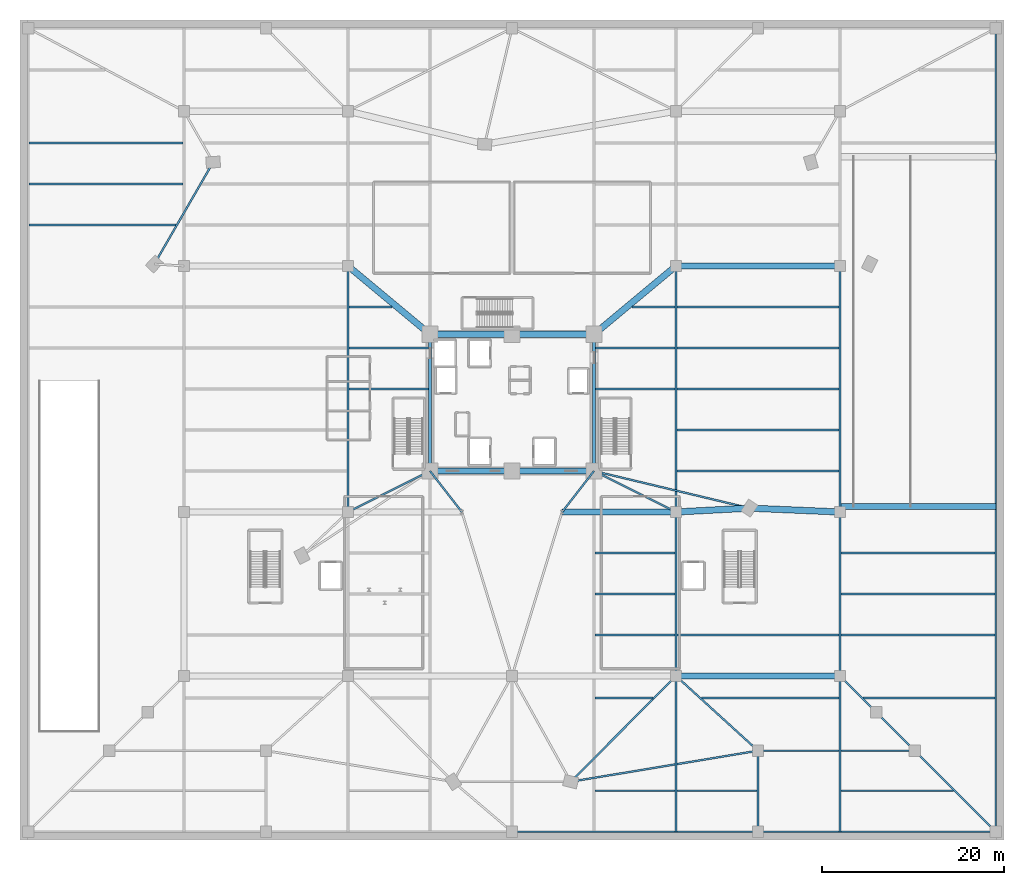
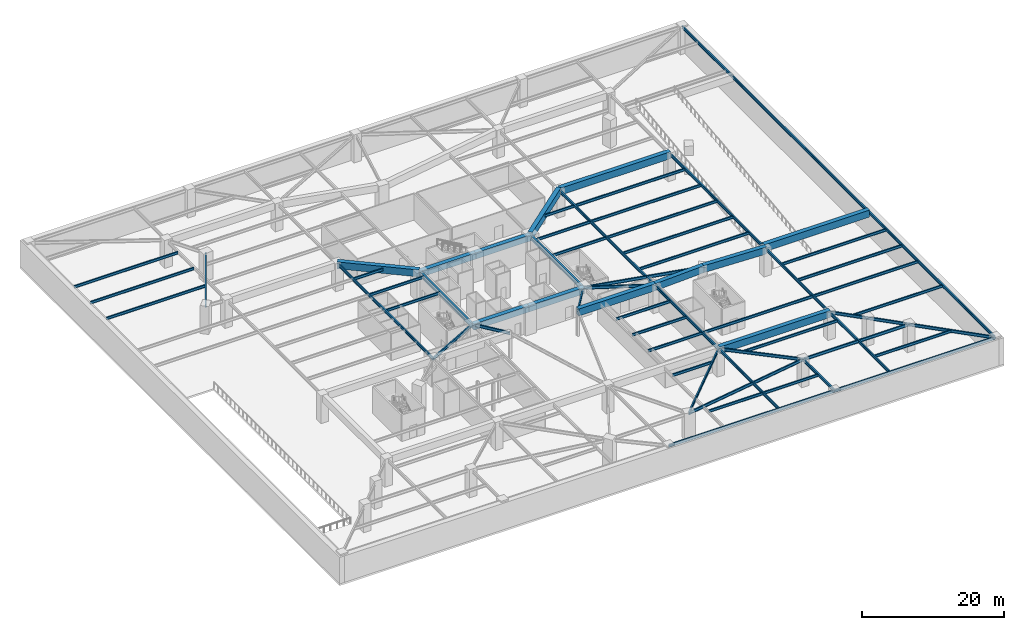
# One storey, part 6 of 20: 65 beams.
"""IFC4 building model written with IfcOpenShell, lengths in metres."""

from ifc_helpers import new_model, si_unit, direction, frame, origin, origin_2d, place, context, subcontext, project, spatial, rectangle, i_section, extrude, source, transform, mapped, material, material_profile, profile_set, type_object, element, save


model = new_model("IFC4")

# Units and contexts
model_context = context("Model", 3, precision=1e-05, world=origin(), true_north=direction((0.0, 1.0)))
body_context = subcontext(model_context, "Body", "Model", "MODEL_VIEW")
ifc_project = project(units=[si_unit("LENGTHUNIT", "METRE"), si_unit("AREAUNIT", "SQUARE_METRE"), si_unit("VOLUMEUNIT", "CUBIC_METRE"), si_unit("PLANEANGLEUNIT", "RADIAN"), si_unit("MASSUNIT", "GRAM", prefix="KILO")], contexts=[model_context])

# Site, building, storey
site_placement = place(None, origin())
site = spatial("IfcSite", under=ifc_project, at=site_placement, CompositionType="ELEMENT")
building_placement = place(site_placement, origin())
building = spatial("IfcBuilding", under=site, at=building_placement, Name="Liaohun Quay Tower", CompositionType="ELEMENT")
storey_placement = place(building_placement, frame((0.0, 0.0, -4.800048828125)))
storey = spatial("IfcBuildingStorey", under=building, at=storey_placement, Name="B1", CompositionType="ELEMENT", Elevation=-4.800048828125)

# Beams
ifc_material_1 = material(Name="Concrete C60", Category="concrete")
ifc_material_profile_1 = material_profile(ifc_material_1, rectangle(XDim=0.699951171875, YDim=1.050048828125, at=origin_2d()), Name="RC700x1050")
ifc_profile_set_1 = profile_set([ifc_material_profile_1], Name="Concrete C60")
beam_type_1 = type_object("IfcBeamType", Name="BM-CPL-1", PredefinedType="LINTEL", material=ifc_profile_set_1)
shared_shape_1 = source(origin(), body_context, "Body", "SweptSolid", [
    extrude(rectangle(XDim=0.699951171875, YDim=1.050048828125, at=origin_2d()), origin(), (0.0, 0.0, 1.0), 9.0),
])
for number, where, z_axis, x_axis, name in (
    (1, (51.0, 46.5, 4.025146484375), (1.0, 0.0, 0.0), (0.0, 1.0, 0.0), "B1 Core Coupling/Ring Beam CC1-CC2"),
    (2, (60.0, 46.5, 4.025146484375), (1.0, 0.0, 0.0), (0.0, 1.0, 0.0), "B1 Core Coupling/Ring Beam CC2-CC3"),
    (3, (69.0, 61.5, 4.025146484375), (-1.0, 0.0, 0.0), (0.0, -1.0, 0.0), "B1 Core Coupling/Ring Beam CC4-CC5"),
    (4, (60.0, 61.5, 4.025146484375), (-1.0, 0.0, 0.0), (0.0, -1.0, 0.0), "B1 Core Coupling/Ring Beam CC5-CC6"),
):
    element("IfcBeam", number, at=place(storey_placement, frame(where, z_axis=z_axis, x_axis=x_axis)), inside=storey, type_object=beam_type_1, Name=name, PredefinedType="LINTEL", context=body_context, shape_type="MappedRepresentation", body=[
        mapped(shared_shape_1, transform((0.0, 0.0, 0.0), x_axis=(1.0, 0.0, 0.0), y_axis=(0.0, 1.0, 0.0), z_axis=(0.0, 0.0, 1.0), scale=1.0)),
    ])
ifc_material_2 = material(Name="Steel Q355D", Category="steel")
ifc_material_profile_2 = material_profile(ifc_material_2, i_section(OverallWidth=0.300048828125, OverallDepth=0.800048828125, WebThickness=0.013916015625, FlangeThickness=0.02587890625, at=origin_2d()), Name="HN800x300x14x26")
ifc_profile_set_2 = profile_set([ifc_material_profile_2], Name="Steel Q355D")
beam_type_2 = type_object("IfcBeamType", Name="BM-RAD-M1", PredefinedType="BEAM", material=ifc_profile_set_2)
shared_shape_2 = source(origin(), body_context, "Body", "SweptSolid", [
    extrude(i_section(OverallWidth=0.300048828125, OverallDepth=0.800048828125, WebThickness=0.013916015625, FlangeThickness=0.02587890625, at=origin_2d()), origin(), (0.0, 0.0, 1.0), 15.0),
])
for number, where, z_axis, x_axis, name in (
    (5, (69.0, 46.5, 4.150146484375), (0.0, 1.0, 0.0), (-1.0, 0.0, 0.0), "B1 Core Coupling/Ring Beam CC3-CC4"),
    (6, (51.0, 61.5, 4.150146484375), (0.0, -1.0, 0.0), (1.0, 0.0, 0.0), "B1 Core Coupling/Ring Beam CC6-CC1"),
):
    element("IfcBeam", number, at=place(storey_placement, frame(where, z_axis=z_axis, x_axis=x_axis)), inside=storey, type_object=beam_type_2, Name=name, PredefinedType="BEAM", context=body_context, shape_type="MappedRepresentation", body=[
        mapped(shared_shape_2, transform((0.0, 0.0, 0.0), x_axis=(1.0, 0.0, 0.0), y_axis=(0.0, 1.0, 0.0), z_axis=(0.0, 0.0, 1.0), scale=1.0)),
    ])
ifc_material_profile_3 = material_profile(ifc_material_2, i_section(OverallWidth=0.199951171875, OverallDepth=0.5, WebThickness=0.010009765625, FlangeThickness=0.01611328125, at=origin_2d()), Name="HN500x200x10x16")
ifc_profile_set_3 = profile_set([ifc_material_profile_3], Name="Steel Q355D")
beam_type_3 = type_object("IfcBeamType", Name="BM-POD-G3", PredefinedType="BEAM", material=ifc_profile_set_3)
shared_shape_3 = source(origin(), body_context, "Body", "SweptSolid", [
    extrude(i_section(OverallWidth=0.199951171875, OverallDepth=0.5, WebThickness=0.010009765625, FlangeThickness=0.01611328125, at=origin_2d()), origin(), (0.0, 0.0, 1.0), 27.0),
])
for number, where, z_axis, x_axis, name in (
    (7, (42.0, 42.0, 4.300048828125), (0.0, 1.0, 0.0), (-1.0, 0.0, 0.0), "B1 Primary Grid Girder PG07-PG11"),
    (8, (78.0, 42.0, 4.300048828125), (0.0, 1.0, 0.0), (-1.0, 0.0, 0.0), "B1 Primary Grid Girder PG08-PG12"),
    (9, (96.0, 42.0, 4.300048828125), (0.0, 1.0, 0.0), (-1.0, 0.0, 0.0), "B1 Primary Grid Girder PG09-PG13"),
    (10, (60.0, 6.89990234375, 4.300048828125), (1.0, 0.0, 0.0), (0.0, 1.0, 0.0), "B1 Perimeter Tie Girder BP03-BP04"),
):
    element("IfcBeam", number, at=place(storey_placement, frame(where, z_axis=z_axis, x_axis=x_axis)), inside=storey, type_object=beam_type_3, Name=name, PredefinedType="BEAM", context=body_context, shape_type="MappedRepresentation", body=[
        mapped(shared_shape_3, transform((0.0, 0.0, 0.0), x_axis=(1.0, 0.0, 0.0), y_axis=(0.0, 1.0, 0.0), z_axis=(0.0, 0.0, 1.0), scale=1.0)),
    ])
shared_shape_4 = source(origin(), body_context, "Body", "SweptSolid", [
    extrude(i_section(OverallWidth=0.199951171875, OverallDepth=0.5, WebThickness=0.010009765625, FlangeThickness=0.01611328125, at=origin_2d()), origin(), (0.0, 0.0, 1.0), 18.0),
])
for number, where, z_axis, x_axis, name in (
    (11, (78.0, 24.0, 4.300048828125), (0.0, 1.0, 0.0), (-1.0, 0.0, 0.0), "B1 Primary Grid Girder PG04-PG08"),
    (12, (96.0, 24.0, 4.300048828125), (0.0, 1.0, 0.0), (-1.0, 0.0, 0.0), "B1 Primary Grid Girder PG05-PG09"),
):
    element("IfcBeam", number, at=place(storey_placement, frame(where, z_axis=z_axis, x_axis=x_axis)), inside=storey, type_object=beam_type_3, Name=name, PredefinedType="BEAM", context=body_context, shape_type="MappedRepresentation", body=[
        mapped(shared_shape_4, transform((0.0, 0.0, 0.0), x_axis=(1.0, 0.0, 0.0), y_axis=(0.0, 1.0, 0.0), z_axis=(0.0, 0.0, 1.0), scale=1.0)),
    ])
shared_shape_5 = source(origin(), body_context, "Body", "SweptSolid", [
    extrude(i_section(OverallWidth=0.199951171875, OverallDepth=0.5, WebThickness=0.010009765625, FlangeThickness=0.01611328125, at=origin_2d()), origin(), (0.0, 0.0, 1.0), 10.062255859375),
])
for number, where, z_axis, x_axis, name in (
    (13, (42.0, 42.0, 4.300048828125), (0.894427191, 0.4472135955, 0.0), (-0.4472135955, 0.894427191, 0.0), "B1 Primary Grid Girder PG07-CC1"),
    (14, (78.0, 42.0, 4.300048828125), (-0.894427191, 0.4472135955, 0.0), (-0.4472135955, -0.894427191, 0.0), "B1 Primary Grid Girder PG08-CC3"),
):
    element("IfcBeam", number, at=place(storey_placement, frame(where, z_axis=z_axis, x_axis=x_axis)), inside=storey, type_object=beam_type_3, Name=name, PredefinedType="BEAM", context=body_context, shape_type="MappedRepresentation", body=[
        mapped(shared_shape_5, transform((0.0, 0.0, 0.0), x_axis=(1.0, 0.0, 0.0), y_axis=(0.0, 1.0, 0.0), z_axis=(0.0, 0.0, 1.0), scale=1.0)),
    ])
shared_shape_6 = source(origin(), body_context, "Body", "SweptSolid", [
    extrude(i_section(OverallWidth=0.199951171875, OverallDepth=0.5, WebThickness=0.010009765625, FlangeThickness=0.01611328125, at=origin_2d()), origin(), (0.0, 0.0, 1.0), 5.700927734375),
])
for number, where, z_axis, x_axis, name in (
    (15, (54.5, 42.0, 4.300048828125), (-0.613940613515, 0.789352217376, 0.0), (-0.789352217376, -0.613940613515, 0.0), "B1 Primary Grid Girder AT1-CC1"),
    (16, (65.5, 42.0, 4.300048828125), (0.613940613515, 0.789352217376, 0.0), (-0.789352217376, 0.613940613515, 0.0), "B1 Primary Grid Girder AT2-CC3"),
):
    element("IfcBeam", number, at=place(storey_placement, frame(where, z_axis=z_axis, x_axis=x_axis)), inside=storey, type_object=beam_type_3, Name=name, PredefinedType="BEAM", context=body_context, shape_type="MappedRepresentation", body=[
        mapped(shared_shape_6, transform((0.0, 0.0, 0.0), x_axis=(1.0, 0.0, 0.0), y_axis=(0.0, 1.0, 0.0), z_axis=(0.0, 0.0, 1.0), scale=1.0)),
    ])
shared_shape_7 = source(origin(), body_context, "Body", "SweptSolid", [
    extrude(i_section(OverallWidth=0.199951171875, OverallDepth=0.5, WebThickness=0.010009765625, FlangeThickness=0.01611328125, at=origin_2d()), origin(), (0.0, 0.0, 1.0), 16.371826171875),
])
beam_1_placement = place(storey_placement, frame((66.447998046875, 12.39892578125, 4.300048828125), z_axis=(0.705606504265, 0.708603881685, 0.0), x_axis=(-0.708603881685, 0.705606504265, 0.0)))
element("IfcBeam", 17, at=beam_1_placement, inside=storey, type_object=beam_type_3, Name="B1 Primary Grid Girder PC11-PG04", PredefinedType="BEAM", context=body_context, shape_type="MappedRepresentation", body=[
    mapped(shared_shape_7, transform((0.0, 0.0, 0.0), x_axis=(1.0, 0.0, 0.0), y_axis=(0.0, 1.0, 0.0), z_axis=(0.0, 0.0, 1.0), scale=1.0)),
])
shared_shape_8 = source(origin(), body_context, "Body", "SweptSolid", [
    extrude(i_section(OverallWidth=0.199951171875, OverallDepth=0.5, WebThickness=0.010009765625, FlangeThickness=0.01611328125, at=origin_2d()), origin(), (0.0, 0.0, 1.0), 17.544189453125),
])
beam_2_placement = place(storey_placement, frame((86.06396484375, 42.423095703125, 4.300048828125), z_axis=(-0.972625403076, 0.23237862486, 0.0), x_axis=(-0.23237862486, -0.972625403076, 0.0)))
element("IfcBeam", 18, at=beam_2_placement, inside=storey, type_object=beam_type_3, Name="B1 Primary Grid Girder PC10-CC3", PredefinedType="BEAM", context=body_context, shape_type="MappedRepresentation", body=[
    mapped(shared_shape_8, transform((0.0, 0.0, 0.0), x_axis=(1.0, 0.0, 0.0), y_axis=(0.0, 1.0, 0.0), z_axis=(0.0, 0.0, 1.0), scale=1.0)),
])
shared_shape_9 = source(origin(), body_context, "Body", "SweptSolid", [
    extrude(i_section(OverallWidth=0.199951171875, OverallDepth=0.5, WebThickness=0.010009765625, FlangeThickness=0.01611328125, at=origin_2d()), origin(), (0.0, 0.0, 1.0), 12.902587890625),
])
beam_3_placement = place(storey_placement, frame((20.748046875, 69.217041015625, 4.300048828125), z_axis=(0.49997524318, 0.866039696669, 0.0), x_axis=(-0.866039696669, 0.49997524318, 0.0)))
element("IfcBeam", 19, at=beam_3_placement, inside=storey, type_object=beam_type_3, Name="B1 Primary Grid Girder PC03-PC05", PredefinedType="BEAM", context=body_context, shape_type="MappedRepresentation", body=[
    mapped(shared_shape_9, transform((0.0, 0.0, 0.0), x_axis=(1.0, 0.0, 0.0), y_axis=(0.0, 1.0, 0.0), z_axis=(0.0, 0.0, 1.0), scale=1.0)),
])
shared_shape_10 = source(origin(), body_context, "Body", "SweptSolid", [
    extrude(i_section(OverallWidth=0.199951171875, OverallDepth=0.5, WebThickness=0.010009765625, FlangeThickness=0.01611328125, at=origin_2d()), origin(), (0.0, 0.0, 1.0), 17.199951171875),
])
beam_4_placement = place(storey_placement, frame((87.0, 15.800048828125, 4.300048828125), z_axis=(1.0, 0.0, 0.0), x_axis=(0.0, 1.0, 0.0)))
element("IfcBeam", 20, at=beam_4_placement, inside=storey, type_object=beam_type_3, Name="B1 Perimeter Tie Girder PT03-PT04", PredefinedType="BEAM", context=body_context, shape_type="MappedRepresentation", body=[
    mapped(shared_shape_10, transform((0.0, 0.0, 0.0), x_axis=(1.0, 0.0, 0.0), y_axis=(0.0, 1.0, 0.0), z_axis=(0.0, 0.0, 1.0), scale=1.0)),
])
shared_shape_11 = source(origin(), body_context, "Body", "SweptSolid", [
    extrude(i_section(OverallWidth=0.199951171875, OverallDepth=0.5, WebThickness=0.010009765625, FlangeThickness=0.01611328125, at=origin_2d()), origin(), (0.0, 0.0, 1.0), 20.83154296875),
])
beam_5_placement = place(storey_placement, frame((66.447998046875, 12.39892578125, 4.300048828125), z_axis=(0.98658174219, 0.163268080095, 0.0), x_axis=(-0.163268080095, 0.98658174219, 0.0)))
element("IfcBeam", 21, at=beam_5_placement, inside=storey, type_object=beam_type_3, Name="B1 Perimeter Tie Girder PC11-PT03", PredefinedType="BEAM", context=body_context, shape_type="MappedRepresentation", body=[
    mapped(shared_shape_11, transform((0.0, 0.0, 0.0), x_axis=(1.0, 0.0, 0.0), y_axis=(0.0, 1.0, 0.0), z_axis=(0.0, 0.0, 1.0), scale=1.0)),
])
shared_shape_12 = source(origin(), body_context, "Body", "SweptSolid", [
    extrude(i_section(OverallWidth=0.199951171875, OverallDepth=0.5, WebThickness=0.010009765625, FlangeThickness=0.01611328125, at=origin_2d()), origin(), (0.0, 0.0, 1.0), 5.939697265625),
])
beam_6_placement = place(storey_placement, frame((104.199951171875, 15.800048828125, 4.300048828125), z_axis=(-0.707106781187, 0.707106781187, 0.0), x_axis=(-0.707106781187, -0.707106781187, 0.0)))
element("IfcBeam", 22, at=beam_6_placement, inside=storey, type_object=beam_type_3, Name="B1 Perimeter Tie Girder PT04-PT06", PredefinedType="BEAM", context=body_context, shape_type="MappedRepresentation", body=[
    mapped(shared_shape_12, transform((0.0, 0.0, 0.0), x_axis=(1.0, 0.0, 0.0), y_axis=(0.0, 1.0, 0.0), z_axis=(0.0, 0.0, 1.0), scale=1.0)),
])
shared_shape_13 = source(origin(), body_context, "Body", "SweptSolid", [
    extrude(i_section(OverallWidth=0.199951171875, OverallDepth=0.5, WebThickness=0.010009765625, FlangeThickness=0.01611328125, at=origin_2d()), origin(), (0.0, 0.0, 1.0), 12.17529296875),
])
beam_7_placement = place(storey_placement, frame((87.0, 15.800048828125, 4.300048828125), z_axis=(-0.739198333818, 0.673487804849, 0.0), x_axis=(-0.673487804849, -0.739198333818, 0.0)))
element("IfcBeam", 23, at=beam_7_placement, inside=storey, type_object=beam_type_3, Name="B1 Perimeter Tie Girder PT03-PG04", PredefinedType="BEAM", context=body_context, shape_type="MappedRepresentation", body=[
    mapped(shared_shape_13, transform((0.0, 0.0, 0.0), x_axis=(1.0, 0.0, 0.0), y_axis=(0.0, 1.0, 0.0), z_axis=(0.0, 0.0, 1.0), scale=1.0)),
])
shared_shape_14 = source(origin(), body_context, "Body", "SweptSolid", [
    extrude(i_section(OverallWidth=0.199951171875, OverallDepth=0.5, WebThickness=0.010009765625, FlangeThickness=0.01611328125, at=origin_2d()), origin(), (0.0, 0.0, 1.0), 5.65673828125),
])
beam_8_placement = place(storey_placement, frame((100.0, 20.0, 4.300048828125), z_axis=(-0.707106781187, 0.707106781187, 0.0), x_axis=(-0.707106781187, -0.707106781187, 0.0)))
element("IfcBeam", 24, at=beam_8_placement, inside=storey, type_object=beam_type_3, Name="B1 Perimeter Tie Girder PT06-PG05", PredefinedType="BEAM", context=body_context, shape_type="MappedRepresentation", body=[
    mapped(shared_shape_14, transform((0.0, 0.0, 0.0), x_axis=(1.0, 0.0, 0.0), y_axis=(0.0, 1.0, 0.0), z_axis=(0.0, 0.0, 1.0), scale=1.0)),
])
shared_shape_15 = source(origin(), body_context, "Body", "SweptSolid", [
    extrude(i_section(OverallWidth=0.199951171875, OverallDepth=0.5, WebThickness=0.010009765625, FlangeThickness=0.01611328125, at=origin_2d()), origin(), (0.0, 0.0, 1.0), 26.10009765625),
])
beam_9_placement = place(storey_placement, frame((87.0, 6.89990234375, 4.300048828125), z_axis=(1.0, 0.0, 0.0), x_axis=(0.0, 1.0, 0.0)))
element("IfcBeam", 25, at=beam_9_placement, inside=storey, type_object=beam_type_3, Name="B1 Perimeter Tie Girder BP04-BP05", PredefinedType="BEAM", context=body_context, shape_type="MappedRepresentation", body=[
    mapped(shared_shape_15, transform((0.0, 0.0, 0.0), x_axis=(1.0, 0.0, 0.0), y_axis=(0.0, 1.0, 0.0), z_axis=(0.0, 0.0, 1.0), scale=1.0)),
])
shared_shape_16 = source(origin(), body_context, "Body", "SweptSolid", [
    extrude(i_section(OverallWidth=0.199951171875, OverallDepth=0.5, WebThickness=0.010009765625, FlangeThickness=0.01611328125, at=origin_2d()), origin(), (0.0, 0.0, 1.0), 88.2001953125),
])
beam_10_placement = place(storey_placement, frame((113.10009765625, 6.89990234375, 4.300048828125), z_axis=(0.0, 1.0, 0.0), x_axis=(-1.0, 0.0, 0.0)))
element("IfcBeam", 26, at=beam_10_placement, inside=storey, type_object=beam_type_3, Name="B1 Perimeter Tie Girder BP05-BP10", PredefinedType="BEAM", context=body_context, shape_type="MappedRepresentation", body=[
    mapped(shared_shape_16, transform((0.0, 0.0, 0.0), x_axis=(1.0, 0.0, 0.0), y_axis=(0.0, 1.0, 0.0), z_axis=(0.0, 0.0, 1.0), scale=1.0)),
])
shared_shape_17 = source(origin(), body_context, "Body", "SweptSolid", [
    extrude(i_section(OverallWidth=0.199951171875, OverallDepth=0.5, WebThickness=0.010009765625, FlangeThickness=0.01611328125, at=origin_2d()), origin(), (0.0, 0.0, 1.0), 12.586669921875),
])
beam_11_placement = place(storey_placement, frame((113.10009765625, 6.89990234375, 4.300048828125), z_axis=(-0.707106781187, 0.707106781187, 0.0), x_axis=(-0.707106781187, -0.707106781187, 0.0)))
element("IfcBeam", 27, at=beam_11_placement, inside=storey, type_object=beam_type_3, Name="B1 Perimeter Tie Girder BP05-PT04", PredefinedType="BEAM", context=body_context, shape_type="MappedRepresentation", body=[
    mapped(shared_shape_17, transform((0.0, 0.0, 0.0), x_axis=(1.0, 0.0, 0.0), y_axis=(0.0, 1.0, 0.0), z_axis=(0.0, 0.0, 1.0), scale=1.0)),
])
shared_shape_18 = source(origin(), body_context, "Body", "SweptSolid", [
    extrude(i_section(OverallWidth=0.199951171875, OverallDepth=0.5, WebThickness=0.010009765625, FlangeThickness=0.01611328125, at=origin_2d()), origin(), (0.0, 0.0, 1.0), 8.900146484375),
])
beam_12_placement = place(storey_placement, frame((87.0, 6.89990234375, 4.300048828125), z_axis=(0.0, 1.0, 0.0), x_axis=(-1.0, 0.0, 0.0)))
element("IfcBeam", 28, at=beam_12_placement, inside=storey, type_object=beam_type_3, Name="B1 Perimeter Tie Girder BP04-PT03", PredefinedType="BEAM", context=body_context, shape_type="MappedRepresentation", body=[
    mapped(shared_shape_18, transform((0.0, 0.0, 0.0), x_axis=(1.0, 0.0, 0.0), y_axis=(0.0, 1.0, 0.0), z_axis=(0.0, 0.0, 1.0), scale=1.0)),
])
shared_shape_19 = source(origin(), body_context, "Body", "SweptSolid", [
    extrude(i_section(OverallWidth=0.199951171875, OverallDepth=0.5, WebThickness=0.010009765625, FlangeThickness=0.01611328125, at=origin_2d()), origin(), (0.0, 0.0, 1.0), 17.10009765625),
])
for number, where, z_axis, x_axis, name in (
    (29, (78.0, 6.89990234375, 4.300048828125), (0.0, 1.0, 0.0), (-1.0, 0.0, 0.0), "B1 South Apron Spine Girder X78"),
    (30, (96.0, 6.89990234375, 4.300048828125), (0.0, 1.0, 0.0), (-1.0, 0.0, 0.0), "B1 South Apron Spine Girder X96"),
):
    element("IfcBeam", number, at=place(storey_placement, frame(where, z_axis=z_axis, x_axis=x_axis)), inside=storey, type_object=beam_type_3, Name=name, PredefinedType="BEAM", context=body_context, shape_type="MappedRepresentation", body=[
        mapped(shared_shape_19, transform((0.0, 0.0, 0.0), x_axis=(1.0, 0.0, 0.0), y_axis=(0.0, 1.0, 0.0), z_axis=(0.0, 0.0, 1.0), scale=1.0)),
    ])
ifc_material_profile_4 = material_profile(ifc_material_2, i_section(OverallWidth=0.199951171875, OverallDepth=0.449951171875, WebThickness=0.009033203125, FlangeThickness=0.013916015625, at=origin_2d()), Name="HN450x200x9x14")
ifc_profile_set_4 = profile_set([ifc_material_profile_4], Name="Steel Q355D")
beam_type_4 = type_object("IfcBeamType", Name="BM-SEC-J1", PredefinedType="JOIST", material=ifc_profile_set_4)
shared_shape_20 = source(origin(), body_context, "Body", "SweptSolid", [
    extrude(i_section(OverallWidth=0.199951171875, OverallDepth=0.449951171875, WebThickness=0.009033203125, FlangeThickness=0.013916015625, at=origin_2d()), origin(), (0.0, 0.0, 1.0), 12.35888671875),
])
beam_13_placement = place(storey_placement, frame((96.10009765625, 11.39990234375, 4.324951171875), z_axis=(1.0, 0.0, 0.0), x_axis=(0.0, 1.0, 0.0)))
element("IfcBeam", 31, at=beam_13_placement, inside=storey, type_object=beam_type_4, Name="B1 Composite Floor Joist SJ-71", PredefinedType="JOIST", context=body_context, shape_type="MappedRepresentation", body=[
    mapped(shared_shape_20, transform((0.0, 0.0, 0.0), x_axis=(1.0, 0.0, 0.0), y_axis=(0.0, 1.0, 0.0), z_axis=(0.0, 0.0, 1.0), scale=1.0)),
])
shared_shape_21 = source(origin(), body_context, "Body", "SweptSolid", [
    extrude(i_section(OverallWidth=0.199951171875, OverallDepth=0.449951171875, WebThickness=0.009033203125, FlangeThickness=0.013916015625, at=origin_2d()), origin(), (0.0, 0.0, 1.0), 16.89990234375),
])
for number, where, z_axis, x_axis, name in (
    (32, (7.0, 78.0, 4.324951171875), (1.0, 0.0, 0.0), (0.0, 1.0, 0.0), "B1 Composite Floor Joist SJ-12"),
    (33, (7.0, 82.5, 4.324951171875), (1.0, 0.0, 0.0), (0.0, 1.0, 0.0), "B1 Composite Floor Joist SJ-13"),
    (34, (96.10009765625, 28.5, 4.324951171875), (1.0, 0.0, 0.0), (0.0, 1.0, 0.0), "B1 Composite Floor Joist SJ-73"),
    (35, (96.10009765625, 33.0, 4.324951171875), (1.0, 0.0, 0.0), (0.0, 1.0, 0.0), "B1 Composite Floor Joist SJ-74"),
    (36, (96.10009765625, 37.5, 4.324951171875), (1.0, 0.0, 0.0), (0.0, 1.0, 0.0), "B1 Composite Floor Joist SJ-75"),
):
    element("IfcBeam", number, at=place(storey_placement, frame(where, z_axis=z_axis, x_axis=x_axis)), inside=storey, type_object=beam_type_4, Name=name, PredefinedType="JOIST", context=body_context, shape_type="MappedRepresentation", body=[
        mapped(shared_shape_21, transform((0.0, 0.0, 0.0), x_axis=(1.0, 0.0, 0.0), y_axis=(0.0, 1.0, 0.0), z_axis=(0.0, 0.0, 1.0), scale=1.0)),
    ])
shared_shape_22 = source(origin(), body_context, "Body", "SweptSolid", [
    extrude(i_section(OverallWidth=0.199951171875, OverallDepth=0.449951171875, WebThickness=0.009033203125, FlangeThickness=0.013916015625, at=origin_2d()), origin(), (0.0, 0.0, 1.0), 16.10498046875),
])
beam_14_placement = place(storey_placement, frame((7.0, 73.5, 4.324951171875), z_axis=(1.0, 0.0, 0.0), x_axis=(0.0, 1.0, 0.0)))
element("IfcBeam", 37, at=beam_14_placement, inside=storey, type_object=beam_type_4, Name="B1 Composite Floor Joist SJ-11", PredefinedType="JOIST", context=body_context, shape_type="MappedRepresentation", body=[
    mapped(shared_shape_22, transform((0.0, 0.0, 0.0), x_axis=(1.0, 0.0, 0.0), y_axis=(0.0, 1.0, 0.0), z_axis=(0.0, 0.0, 1.0), scale=1.0)),
])
shared_shape_23 = source(origin(), body_context, "Body", "SweptSolid", [
    extrude(i_section(OverallWidth=0.199951171875, OverallDepth=0.449951171875, WebThickness=0.009033203125, FlangeThickness=0.013916015625, at=origin_2d()), origin(), (0.0, 0.0, 1.0), 8.7998046875),
])
for number, where, z_axis, x_axis, name in (
    (38, (69.10009765625, 11.39990234375, 4.324951171875), (1.0, 0.0, 0.0), (0.0, 1.0, 0.0), "B1 Composite Floor Joist SJ-43"),
    (39, (69.10009765625, 28.5, 4.324951171875), (1.0, 0.0, 0.0), (0.0, 1.0, 0.0), "B1 Composite Floor Joist SJ-45"),
    (40, (69.10009765625, 33.0, 4.324951171875), (1.0, 0.0, 0.0), (0.0, 1.0, 0.0), "B1 Composite Floor Joist SJ-46"),
    (41, (69.10009765625, 37.5, 4.324951171875), (1.0, 0.0, 0.0), (0.0, 1.0, 0.0), "B1 Composite Floor Joist SJ-47"),
    (42, (78.10009765625, 11.39990234375, 4.324951171875), (1.0, 0.0, 0.0), (0.0, 1.0, 0.0), "B1 Composite Floor Joist SJ-57"),
):
    element("IfcBeam", number, at=place(storey_placement, frame(where, z_axis=z_axis, x_axis=x_axis)), inside=storey, type_object=beam_type_4, Name=name, PredefinedType="JOIST", context=body_context, shape_type="MappedRepresentation", body=[
        mapped(shared_shape_23, transform((0.0, 0.0, 0.0), x_axis=(1.0, 0.0, 0.0), y_axis=(0.0, 1.0, 0.0), z_axis=(0.0, 0.0, 1.0), scale=1.0)),
    ])
shared_shape_24 = source(origin(), body_context, "Body", "SweptSolid", [
    extrude(i_section(OverallWidth=0.199951171875, OverallDepth=0.449951171875, WebThickness=0.009033203125, FlangeThickness=0.013916015625, at=origin_2d()), origin(), (0.0, 0.0, 1.0), 15.116943359375),
])
beam_15_placement = place(storey_placement, frame((80.782958984375, 21.60009765625, 4.324951171875), z_axis=(1.0, 0.0, 0.0), x_axis=(0.0, 1.0, 0.0)))
element("IfcBeam", 43, at=beam_15_placement, inside=storey, type_object=beam_type_4, Name="B1 Composite Floor Joist SJ-58", PredefinedType="JOIST", context=body_context, shape_type="MappedRepresentation", body=[
    mapped(shared_shape_24, transform((0.0, 0.0, 0.0), x_axis=(1.0, 0.0, 0.0), y_axis=(0.0, 1.0, 0.0), z_axis=(0.0, 0.0, 1.0), scale=1.0)),
])
shared_shape_25 = source(origin(), body_context, "Body", "SweptSolid", [
    extrude(i_section(OverallWidth=0.199951171875, OverallDepth=0.449951171875, WebThickness=0.009033203125, FlangeThickness=0.013916015625, at=origin_2d()), origin(), (0.0, 0.0, 1.0), 17.7998046875),
])
for number, where, z_axis, x_axis, name in (
    (44, (78.10009765625, 28.5, 4.324951171875), (1.0, 0.0, 0.0), (0.0, 1.0, 0.0), "B1 Composite Floor Joist SJ-59"),
    (45, (78.10009765625, 46.5, 4.324951171875), (1.0, 0.0, 0.0), (0.0, 1.0, 0.0), "B1 Composite Floor Joist SJ-62"),
    (46, (78.10009765625, 51.0, 4.324951171875), (1.0, 0.0, 0.0), (0.0, 1.0, 0.0), "B1 Composite Floor Joist SJ-63"),
    (47, (78.10009765625, 55.5, 4.324951171875), (1.0, 0.0, 0.0), (0.0, 1.0, 0.0), "B1 Composite Floor Joist SJ-64"),
    (48, (78.10009765625, 60.0, 4.324951171875), (1.0, 0.0, 0.0), (0.0, 1.0, 0.0), "B1 Composite Floor Joist SJ-65"),
    (49, (78.10009765625, 64.5, 4.324951171875), (1.0, 0.0, 0.0), (0.0, 1.0, 0.0), "B1 Composite Floor Joist SJ-66"),
):
    element("IfcBeam", number, at=place(storey_placement, frame(where, z_axis=z_axis, x_axis=x_axis)), inside=storey, type_object=beam_type_4, Name=name, PredefinedType="JOIST", context=body_context, shape_type="MappedRepresentation", body=[
        mapped(shared_shape_25, transform((0.0, 0.0, 0.0), x_axis=(1.0, 0.0, 0.0), y_axis=(0.0, 1.0, 0.0), z_axis=(0.0, 0.0, 1.0), scale=1.0)),
    ])
shared_shape_26 = source(origin(), body_context, "Body", "SweptSolid", [
    extrude(i_section(OverallWidth=0.199951171875, OverallDepth=0.449951171875, WebThickness=0.009033203125, FlangeThickness=0.013916015625, at=origin_2d()), origin(), (0.0, 0.0, 1.0), 8.75),
])
for number, where, z_axis, x_axis, name in (
    (50, (42.10009765625, 55.5, 4.324951171875), (1.0, 0.0, 0.0), (0.0, 1.0, 0.0), "B1 Composite Floor Joist SJ-36"),
    (51, (42.10009765625, 60.0, 4.324951171875), (1.0, 0.0, 0.0), (0.0, 1.0, 0.0), "B1 Composite Floor Joist SJ-37"),
    (52, (69.14990234375, 55.5, 4.324951171875), (1.0, 0.0, 0.0), (0.0, 1.0, 0.0), "B1 Composite Floor Joist SJ-50"),
    (53, (69.14990234375, 60.0, 4.324951171875), (1.0, 0.0, 0.0), (0.0, 1.0, 0.0), "B1 Composite Floor Joist SJ-51"),
):
    element("IfcBeam", number, at=place(storey_placement, frame(where, z_axis=z_axis, x_axis=x_axis)), inside=storey, type_object=beam_type_4, Name=name, PredefinedType="JOIST", context=body_context, shape_type="MappedRepresentation", body=[
        mapped(shared_shape_26, transform((0.0, 0.0, 0.0), x_axis=(1.0, 0.0, 0.0), y_axis=(0.0, 1.0, 0.0), z_axis=(0.0, 0.0, 1.0), scale=1.0)),
    ])
shared_shape_27 = source(origin(), body_context, "Body", "SweptSolid", [
    extrude(i_section(OverallWidth=0.199951171875, OverallDepth=0.449951171875, WebThickness=0.009033203125, FlangeThickness=0.013916015625, at=origin_2d()), origin(), (0.0, 0.0, 1.0), 6.368896484375),
])
beam_16_placement = place(storey_placement, frame((69.10009765625, 21.60009765625, 4.324951171875), z_axis=(1.0, 0.0, 0.0), x_axis=(0.0, 1.0, 0.0)))
element("IfcBeam", 54, at=beam_16_placement, inside=storey, type_object=beam_type_4, Name="B1 Composite Floor Joist SJ-44", PredefinedType="JOIST", context=body_context, shape_type="MappedRepresentation", body=[
    mapped(shared_shape_27, transform((0.0, 0.0, 0.0), x_axis=(1.0, 0.0, 0.0), y_axis=(0.0, 1.0, 0.0), z_axis=(0.0, 0.0, 1.0), scale=1.0)),
])
shared_shape_28 = source(origin(), body_context, "Body", "SweptSolid", [
    extrude(i_section(OverallWidth=0.199951171875, OverallDepth=0.449951171875, WebThickness=0.009033203125, FlangeThickness=0.013916015625, at=origin_2d()), origin(), (0.0, 0.0, 1.0), 14.458984375),
])
beam_17_placement = place(storey_placement, frame((98.541015625, 21.60009765625, 4.324951171875), z_axis=(1.0, 0.0, 0.0), x_axis=(0.0, 1.0, 0.0)))
element("IfcBeam", 55, at=beam_17_placement, inside=storey, type_object=beam_type_4, Name="B1 Composite Floor Joist SJ-72", PredefinedType="JOIST", context=body_context, shape_type="MappedRepresentation", body=[
    mapped(shared_shape_28, transform((0.0, 0.0, 0.0), x_axis=(1.0, 0.0, 0.0), y_axis=(0.0, 1.0, 0.0), z_axis=(0.0, 0.0, 1.0), scale=1.0)),
])
ifc_material_3 = material(Name="Concrete C50", Category="concrete")
ifc_material_profile_5 = material_profile(ifc_material_3, rectangle(XDim=0.699951171875, YDim=1.199951171875, at=origin_2d()), Name="RC700x1200")
ifc_profile_set_5 = profile_set([ifc_material_profile_5], Name="Concrete C50")
beam_type_5 = type_object("IfcBeamType", Name="BM-GRD-2", PredefinedType="BEAM", material=ifc_profile_set_5)
shared_shape_29 = source(origin(), body_context, "Body", "SweptSolid", [
    extrude(rectangle(XDim=0.699951171875, YDim=1.199951171875, at=origin_2d()), origin(), (0.0, 0.0, 1.0), 18.0),
])
for number, where, z_axis, x_axis, name in (
    (56, (78.0, 24.0, 4.199951171875), (1.0, 0.0, 0.0), (0.0, 1.0, 0.0), "B1 Primary Grid Girder PG04-PG05"),
    (57, (78.0, 69.0, 4.199951171875), (1.0, 0.0, 0.0), (0.0, 1.0, 0.0), "B1 Primary Grid Girder PG12-PG13"),
):
    element("IfcBeam", number, at=place(storey_placement, frame(where, z_axis=z_axis, x_axis=x_axis)), inside=storey, type_object=beam_type_5, Name=name, PredefinedType="BEAM", context=body_context, shape_type="MappedRepresentation", body=[
        mapped(shared_shape_29, transform((0.0, 0.0, 0.0), x_axis=(1.0, 0.0, 0.0), y_axis=(0.0, 1.0, 0.0), z_axis=(0.0, 0.0, 1.0), scale=1.0)),
    ])
shared_shape_30 = source(origin(), body_context, "Body", "SweptSolid", [
    extrude(rectangle(XDim=0.699951171875, YDim=1.199951171875, at=origin_2d()), origin(), (0.0, 0.0, 1.0), 12.5),
])
beam_18_placement = place(storey_placement, frame((65.5, 42.0, 4.199951171875), z_axis=(1.0, 0.0, 0.0), x_axis=(0.0, 1.0, 0.0)))
element("IfcBeam", 58, at=beam_18_placement, inside=storey, type_object=beam_type_5, Name="B1 Primary Grid Girder AT2-PG08", PredefinedType="BEAM", context=body_context, shape_type="MappedRepresentation", body=[
    mapped(shared_shape_30, transform((0.0, 0.0, 0.0), x_axis=(1.0, 0.0, 0.0), y_axis=(0.0, 1.0, 0.0), z_axis=(0.0, 0.0, 1.0), scale=1.0)),
])
shared_shape_31 = source(origin(), body_context, "Body", "SweptSolid", [
    extrude(rectangle(XDim=0.699951171875, YDim=1.199951171875, at=origin_2d()), origin(), (0.0, 0.0, 1.0), 8.074951171875),
])
beam_19_placement = place(storey_placement, frame((78.0, 42.0, 4.199951171875), z_axis=(0.998626418426, 0.052395385502, 0.0), x_axis=(-0.052395385502, 0.998626418426, 0.0)))
element("IfcBeam", 59, at=beam_19_placement, inside=storey, type_object=beam_type_5, Name="B1 Primary Grid Girder PG08-PC10", PredefinedType="BEAM", context=body_context, shape_type="MappedRepresentation", body=[
    mapped(shared_shape_31, transform((0.0, 0.0, 0.0), x_axis=(1.0, 0.0, 0.0), y_axis=(0.0, 1.0, 0.0), z_axis=(0.0, 0.0, 1.0), scale=1.0)),
])
shared_shape_32 = source(origin(), body_context, "Body", "SweptSolid", [
    extrude(rectangle(XDim=0.699951171875, YDim=1.199951171875, at=origin_2d()), origin(), (0.0, 0.0, 1.0), 9.945068359375),
])
beam_20_placement = place(storey_placement, frame((86.06396484375, 42.423095703125, 4.199951171875), z_axis=(0.999094620033, -0.042543392219, 0.0), x_axis=(0.042543392219, 0.999094620033, 0.0)))
element("IfcBeam", 60, at=beam_20_placement, inside=storey, type_object=beam_type_5, Name="B1 Primary Grid Girder PC10-PG09", PredefinedType="BEAM", context=body_context, shape_type="MappedRepresentation", body=[
    mapped(shared_shape_32, transform((0.0, 0.0, 0.0), x_axis=(1.0, 0.0, 0.0), y_axis=(0.0, 1.0, 0.0), z_axis=(0.0, 0.0, 1.0), scale=1.0)),
])
shared_shape_33 = source(origin(), body_context, "Body", "SweptSolid", [
    extrude(rectangle(XDim=0.699951171875, YDim=1.199951171875, at=origin_2d()), origin(), (0.0, 0.0, 1.0), 11.71533203125),
])
for number, where, z_axis, x_axis, name in (
    (61, (42.0, 69.0, 4.199951171875), (0.768221279597, -0.640184399664, 0.0), (0.640184399664, 0.768221279597, 0.0), "B1 Primary Grid Girder PG11-CC6"),
    (62, (69.0, 61.5, 4.199951171875), (0.768221279597, 0.640184399664, 0.0), (-0.640184399664, 0.768221279597, 0.0), "B1 Primary Grid Girder CC4-PG12"),
):
    element("IfcBeam", number, at=place(storey_placement, frame(where, z_axis=z_axis, x_axis=x_axis)), inside=storey, type_object=beam_type_5, Name=name, PredefinedType="BEAM", context=body_context, shape_type="MappedRepresentation", body=[
        mapped(shared_shape_33, transform((0.0, 0.0, 0.0), x_axis=(1.0, 0.0, 0.0), y_axis=(0.0, 1.0, 0.0), z_axis=(0.0, 0.0, 1.0), scale=1.0)),
    ])
shared_shape_34 = source(origin(), body_context, "Body", "SweptSolid", [
    extrude(rectangle(XDim=0.699951171875, YDim=1.199951171875, at=origin_2d()), origin(), (0.0, 0.0, 1.0), 17.10009765625),
])
beam_21_placement = place(storey_placement, frame((96.0, 42.60009765625, 4.199951171875), z_axis=(1.0, 0.0, 0.0), x_axis=(0.0, 1.0, 0.0)))
element("IfcBeam", 63, at=beam_21_placement, inside=storey, type_object=beam_type_5, Name="B1 Upper Ramp Base Header", PredefinedType="BEAM", context=body_context, shape_type="MappedRepresentation", body=[
    mapped(shared_shape_34, transform((0.0, 0.0, 0.0), x_axis=(1.0, 0.0, 0.0), y_axis=(0.0, 1.0, 0.0), z_axis=(0.0, 0.0, 1.0), scale=1.0)),
])
shared_shape_35 = source(origin(), body_context, "Body", "SweptSolid", [
    extrude(i_section(OverallWidth=0.199951171875, OverallDepth=0.449951171875, WebThickness=0.009033203125, FlangeThickness=0.013916015625, at=origin_2d()), origin(), (0.0, 0.0, 1.0), 4.7529296875),
])
for number, where, z_axis, x_axis, name in (
    (64, (42.10009765625, 64.5, 4.324951171875), (1.0, 0.0, 0.0), (0.0, 1.0, 0.0), "B1 Composite Floor Joist SJ-38"),
    (65, (73.14697265625, 64.5, 4.324951171875), (1.0, 0.0, 0.0), (0.0, 1.0, 0.0), "B1 Composite Floor Joist SJ-52"),
):
    element("IfcBeam", number, at=place(storey_placement, frame(where, z_axis=z_axis, x_axis=x_axis)), inside=storey, type_object=beam_type_4, Name=name, PredefinedType="JOIST", context=body_context, shape_type="MappedRepresentation", body=[
        mapped(shared_shape_35, transform((0.0, 0.0, 0.0), x_axis=(1.0, 0.0, 0.0), y_axis=(0.0, 1.0, 0.0), z_axis=(0.0, 0.0, 1.0), scale=1.0)),
    ])

save(model, "model.ifc")
